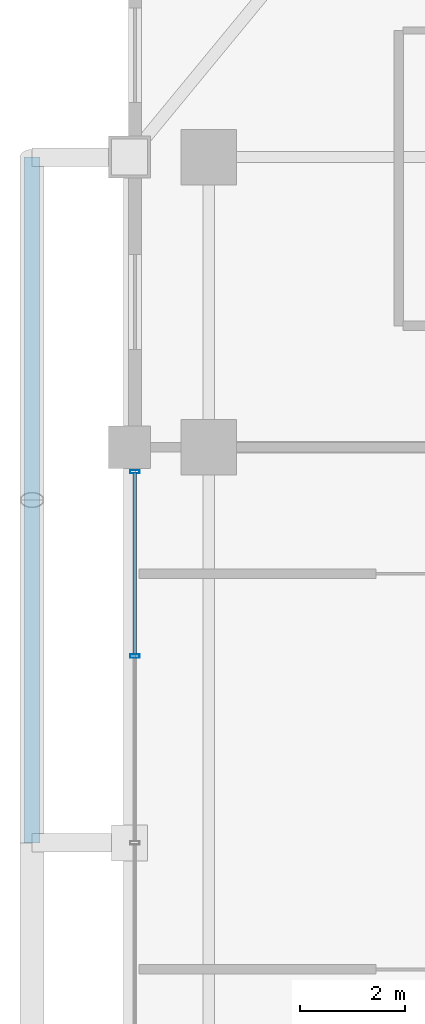
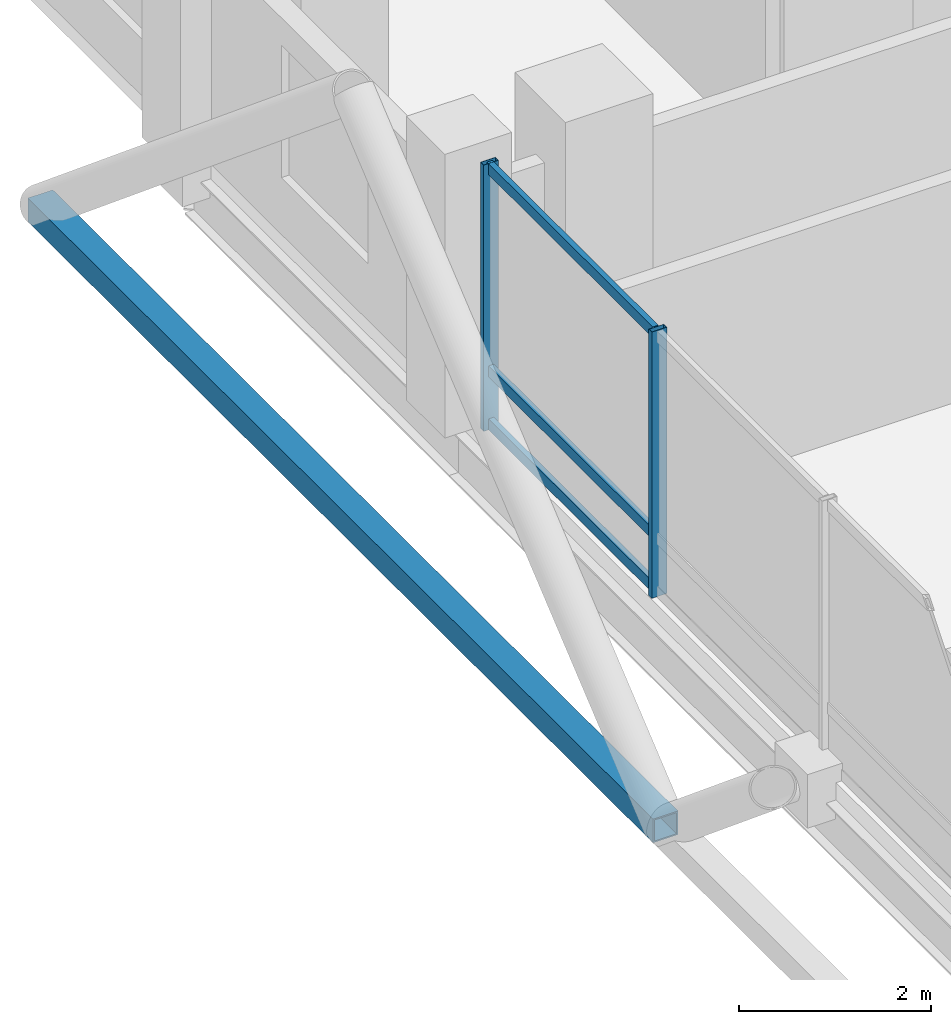
# One storey, part 9 of 26: 6 members, 1 element without a shape of its own.
"""IFC4 building model written with IfcOpenShell, lengths in metres."""

from ifc_helpers import new_model, si_unit, direction, frame, origin, origin_2d, place, context, subcontext, project, spatial, hollow_rectangle, extrude, material, layer, layer_set, material_profile, profile_set, type_object, element, aggregate, save


model = new_model("IFC4")

# Units and contexts
model_context = context("Model", 3, precision=1e-05, world=origin(), true_north=direction((0.0, 1.0)))
body_context = subcontext(model_context, "Body", "Model", "MODEL_VIEW")
ifc_project = project(units=[si_unit("LENGTHUNIT", "METRE"), si_unit("AREAUNIT", "SQUARE_METRE"), si_unit("VOLUMEUNIT", "CUBIC_METRE"), si_unit("PLANEANGLEUNIT", "RADIAN"), si_unit("MASSUNIT", "GRAM", prefix="KILO")], contexts=[model_context])

# Site, building, storey
site_placement = place(None, origin())
site = spatial("IfcSite", under=ifc_project, at=site_placement, CompositionType="ELEMENT")
building_placement = place(site_placement, origin())
building = spatial("IfcBuilding", under=site, at=building_placement, Name="Barlavira Tower and Art Museum", CompositionType="ELEMENT")
storey_placement = place(building_placement, frame((0.0, 0.0, 198.0)))
storey = spatial("IfcBuildingStorey", under=building, at=storey_placement, Name="L51", CompositionType="ELEMENT", Elevation=198.0)

# Curtain wall, members
ifc_material_1 = material(Name="Low-iron coastal laminated glass", Category="glass")
ifc_layer = layer(ifc_material_1, 0.199951171875, Name="Low-iron coastal laminated glass")
ifc_layer_set = layer_set([ifc_layer], Name="Low-iron coastal laminated glass")
curtain_wall_type = type_object("IfcCurtainWallType", Name="Pale-Metal Unitised Curtain Wall Zone 3", PredefinedType="NOTDEFINED", material=ifc_layer_set)
curtain_wall_placement = place(storey_placement, origin())
curtain_wall = element("IfcCurtainWall", 1, at=curtain_wall_placement, inside=storey, type_object=curtain_wall_type, Name="L51 Curtain Wall CW3-L51-W-B3", PredefinedType="NOTDEFINED")
ifc_material_2 = material(Name="Pale anodised aluminium", Category="aluminium")
ifc_material_profile_1 = material_profile(ifc_material_2, hollow_rectangle(XDim=0.06494140625, YDim=0.179931640625, WallThickness=0.00390625, at=origin_2d()), Name="ALU-MULL 65x180x4")
ifc_profile_set_1 = profile_set([ifc_material_profile_1], Name="Pale anodised aluminium")
member_type_1 = type_object("IfcMemberType", Name="Curtain Wall Pale-Metal Mullion 65x180", PredefinedType="MULLION", material=ifc_profile_set_1)
member_1_placement = place(storey_placement, frame((-18.39990234375, 7.034912109375, 0.0), z_axis=(0.0, 0.0, 1.0), x_axis=(0.0, -1.0, 0.0)))
member_1 = element("IfcMember", 2, at=member_1_placement, type_object=member_type_1, Name="CW3-L51-W-B3 Mullion 0", PredefinedType="MULLION", context=body_context, shape_type="SweptSolid", body=[
    extrude(hollow_rectangle(XDim=0.06494140625, YDim=0.179931640625, WallThickness=0.00390625, at=origin_2d()), origin(), (0.0, 0.0, 1.0), 3.3798828125),
])
member_2_placement = place(storey_placement, frame((-18.39990234375, 3.5400390625, 0.0), z_axis=(0.0, 0.0, 1.0), x_axis=(0.0, -1.0, 0.0)))
member_2 = element("IfcMember", 3, at=member_2_placement, type_object=member_type_1, Name="CW3-L51-W-B3 Mullion 1", PredefinedType="MULLION", context=body_context, shape_type="SweptSolid", body=[
    extrude(hollow_rectangle(XDim=0.06494140625, YDim=0.179931640625, WallThickness=0.00390625, at=origin_2d()), origin(), (0.0, 0.0, 1.0), 3.3798828125),
])
ifc_material_profile_2 = material_profile(ifc_material_2, hollow_rectangle(XDim=0.06494140625, YDim=0.139892578125, WallThickness=0.00390625, at=origin_2d()), Name="ALU-TRAN 65x140x4")
ifc_profile_set_2 = profile_set([ifc_material_profile_2], Name="Pale anodised aluminium")
member_type_2 = type_object("IfcMemberType", Name="Curtain Wall Pale-Metal Transom 65x140", PredefinedType="USERDEFINED", material=ifc_profile_set_2)
member_3_placement = place(storey_placement, frame((-18.39990234375, 7.034912109375, 0.070068359375), z_axis=(0.0, -1.0, 0.0), x_axis=(1.0, 0.0, 0.0)))
member_3 = element("IfcMember", 4, at=member_3_placement, type_object=member_type_2, Name="CW3-L51-W-B3 Transom 0.1", ObjectType="TRANSOM", PredefinedType="USERDEFINED", context=body_context, shape_type="SweptSolid", body=[
    extrude(hollow_rectangle(XDim=0.06494140625, YDim=0.139892578125, WallThickness=0.00390625, at=origin_2d()), origin(), (0.0, 0.0, 1.0), 3.449951171875),
])
member_4_placement = place(storey_placement, frame((-18.39990234375, 7.034912109375, 0.743896484375), z_axis=(0.0, -1.0, 0.0), x_axis=(1.0, 0.0, 0.0)))
member_4 = element("IfcMember", 5, at=member_4_placement, type_object=member_type_2, Name="CW3-L51-W-B3 Transom 0.2", ObjectType="TRANSOM", PredefinedType="USERDEFINED", context=body_context, shape_type="SweptSolid", body=[
    extrude(hollow_rectangle(XDim=0.06494140625, YDim=0.139892578125, WallThickness=0.00390625, at=origin_2d()), origin(), (0.0, 0.0, 1.0), 3.449951171875),
])
member_5_placement = place(storey_placement, frame((-18.39990234375, 7.034912109375, 3.31005859375), z_axis=(0.0, -1.0, 0.0), x_axis=(1.0, 0.0, 0.0)))
member_5 = element("IfcMember", 6, at=member_5_placement, type_object=member_type_2, Name="CW3-L51-W-B3 Transom 0.3", ObjectType="TRANSOM", PredefinedType="USERDEFINED", context=body_context, shape_type="SweptSolid", body=[
    extrude(hollow_rectangle(XDim=0.06494140625, YDim=0.139892578125, WallThickness=0.00390625, at=origin_2d()), origin(), (0.0, 0.0, 1.0), 3.449951171875),
])
aggregate(curtain_wall, [member_1, member_2, member_3, member_4, member_5])

# Member
ifc_material_3 = material(Name="Steel S355", Category="steel")
ifc_material_profile_3 = material_profile(ifc_material_3, hollow_rectangle(XDim=0.300048828125, YDim=0.300048828125, WallThickness=0.01611328125, at=origin_2d()), Name="SHS 300x300x16.0")
ifc_profile_set_3 = profile_set([ifc_material_profile_3], Name="Steel S355")
member_type_3 = type_object("IfcMemberType", Name="Pale-Metal Upper Ring Strut SHS 300x300x16 Steel S355", PredefinedType="STRUT", material=ifc_profile_set_3)
member_6_placement = place(storey_placement, frame((-20.35009765625, 0.0, -0.1201171875), z_axis=(0.0, 1.0, 0.0), x_axis=(-1.0, 0.0, 0.0)))
element("IfcMember", 7, at=member_6_placement, inside=storey, type_object=member_type_3, Name="L51 Exoskeleton Ring Strut W", PredefinedType="STRUT", context=body_context, shape_type="SweptSolid", body=[
    extrude(hollow_rectangle(XDim=0.300048828125, YDim=0.300048828125, WallThickness=0.01611328125, at=origin_2d()), origin(), (0.0, 0.0, 1.0), 13.0),
])

save(model, "model.ifc")
